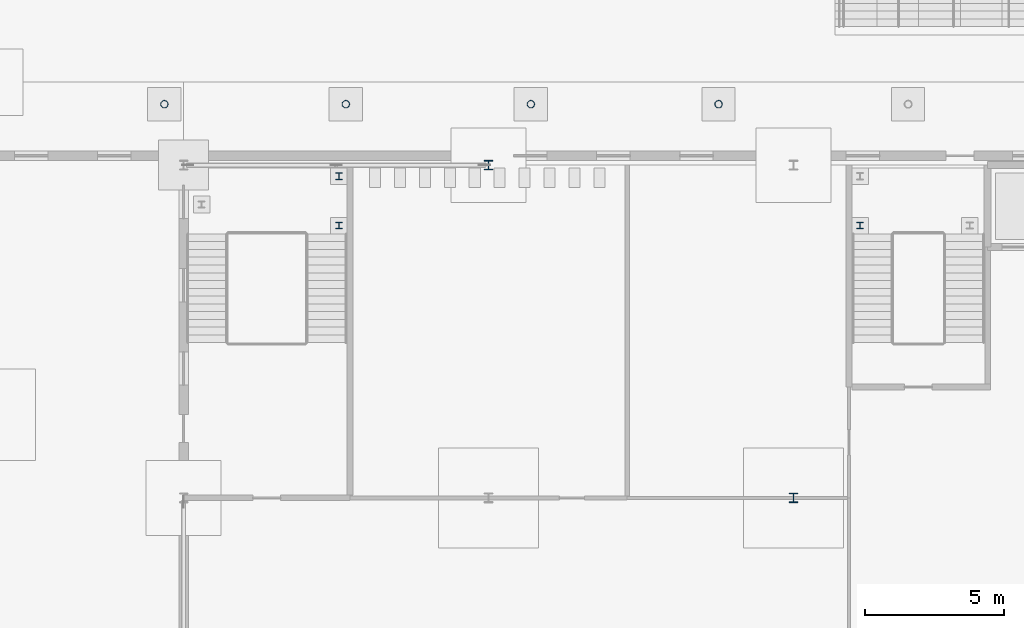
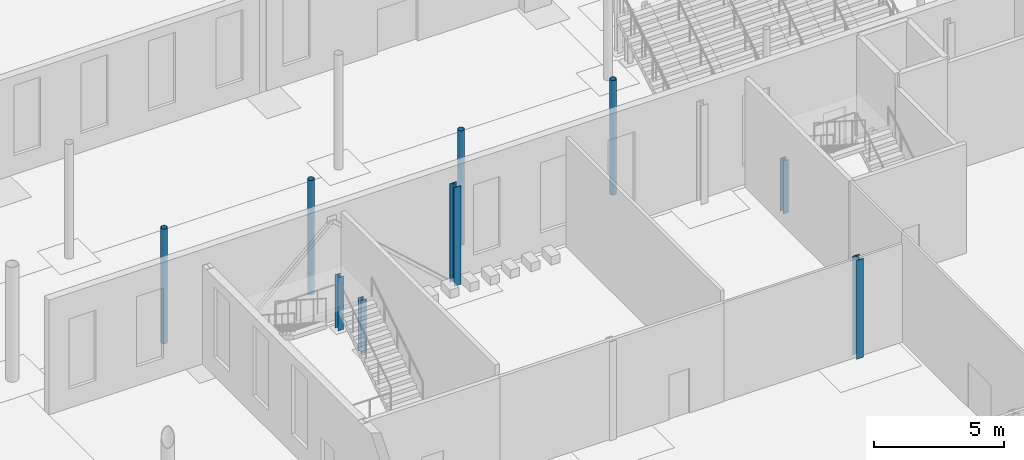
# One storey, part 26 of 132: 9 columns.
"""IFC4 building model written with IfcOpenShell, lengths in metres."""

import ifcopenshell
import ifcopenshell.guid

model = None  # the IFC model being written
_history = None  # IfcOwnerHistory: only IFC2X3 demands one
_inside = {}  # id of a spatial element -> (the spatial element, [elements in it])
_under = {}  # id of a project, library or spatial element -> (it, [spatial elements below it])
_declared = {}  # id of a project -> (the project, [libraries it declares])
_typed = {}  # id of a type object -> (the type object, [elements of that type])
_made_of = {}  # id of a material, layer set ... -> (it, [elements and type objects made of it])


def new_model(schema):
    """Start an empty IFC model of exactly this schema.

    Asked for "IFC4X3", IfcOpenShell would pick the latest addendum, in which some entities
    have other attributes; the version numbers below select the first issue.
    IFC2X3 requires an IfcOwnerHistory on every rooted entity: one is made here for all.
    """
    global model, _history
    if schema == "IFC4X3":
        model = ifcopenshell.file(schema_version=(4, 3, 0, 0))
    else:
        model = ifcopenshell.file(schema=schema)
    _inside.clear()
    _under.clear()
    _declared.clear()
    _typed.clear()
    _made_of.clear()
    _history = None
    if model.schema == "IFC2X3":
        org = make("IfcOrganization", Name="unknown")
        user = make(
            "IfcPersonAndOrganization",
            ThePerson=make("IfcPerson", FamilyName="unknown"),
            TheOrganization=org,
        )
        app = make(
            "IfcApplication",
            ApplicationDeveloper=org,
            Version="unknown",
            ApplicationFullName="unknown",
            ApplicationIdentifier="unknown",
        )
        _history = make(
            "IfcOwnerHistory",
            OwningUser=user,
            OwningApplication=app,
            ChangeAction="ADDED",
            CreationDate=0,
        )
    return model


def make(cls, **values):
    """One entity of the class cls with the attributes given. An attribute that is None is left unset."""
    return model.create_entity(
        cls, **{name: value for name, value in values.items() if value is not None}
    )


def rooted(cls, **values):
    """An entity with a GlobalId (a new one), such as an element, a storey or a relation."""
    return make(cls, GlobalId=ifcopenshell.guid.new(), OwnerHistory=_history, **values)


def si_unit(unit_type, name, prefix=None):
    """IfcSIUnit, for example si_unit("LENGTHUNIT", "METRE", prefix="MILLI")."""
    return make("IfcSIUnit", UnitType=unit_type, Prefix=prefix, Name=name)


def assignment(units):
    """IfcUnitAssignment: the units of a project."""
    return None if units is None else make("IfcUnitAssignment", Units=units)


def point(xyz):
    """IfcCartesianPoint."""
    return None if xyz is None else make("IfcCartesianPoint", Coordinates=xyz)


def direction(xyz):
    """IfcDirection."""
    return None if xyz is None else make("IfcDirection", DirectionRatios=xyz)


def frame(location, z_axis=None, x_axis=None):
    """IfcAxis2Placement3D, a coordinate frame: its origin and axes. An axis left out is left unset."""
    return make(
        "IfcAxis2Placement3D",
        Location=point(location),
        Axis=direction(z_axis),
        RefDirection=direction(x_axis),
    )


def frame_2d(location, x_axis=None):
    """IfcAxis2Placement2D, a coordinate frame in the plane: its origin and x axis."""
    return make(
        "IfcAxis2Placement2D", Location=point(location), RefDirection=direction(x_axis)
    )


def origin():
    """The frame at (0, 0, 0) with its axes left unset."""
    return frame((0.0, 0.0, 0.0))


def origin_2d():
    """The frame at (0, 0) in the plane with its x axis left unset."""
    return frame_2d((0.0, 0.0))


def place(relative_to, where):
    """IfcLocalPlacement: puts the frame where relative to a parent placement (None: the world)."""
    return make(
        "IfcLocalPlacement", PlacementRelTo=relative_to, RelativePlacement=where
    )


def context(
    kind, dimensions, precision=None, world=None, true_north=None, identifier=None
):
    """IfcGeometricRepresentationContext, for example the 3D "Model" context."""
    return make(
        "IfcGeometricRepresentationContext",
        ContextIdentifier=identifier,
        ContextType=kind,
        CoordinateSpaceDimension=dimensions,
        Precision=precision,
        WorldCoordinateSystem=world,
        TrueNorth=true_north,
    )


def subcontext(parent, identifier, kind, view, scale=None):
    """IfcGeometricRepresentationSubContext, for example "Body" below "Model"."""
    return make(
        "IfcGeometricRepresentationSubContext",
        ContextIdentifier=identifier,
        ContextType=kind,
        ParentContext=parent,
        TargetScale=scale,
        TargetView=view,
    )


def project(units=None, contexts=None):
    """IfcProject with its units and contexts."""
    return rooted(
        "IfcProject",
        Name="project",
        RepresentationContexts=contexts,
        UnitsInContext=assignment(units),
    )


def spatial(cls, under=None, at=None, **own):
    """A site, building, storey or space (cls), placed at a placement, below another one or the project."""
    s = rooted(cls, ObjectPlacement=at, **own)
    if under is not None:
        _under.setdefault(under.id(), (under, []))[1].append(s)
    return s


def profile(cls, at=None, kind="AREA", **sizes):
    """A parametric profile (cls). Its sizes go by their IFC names, for example OverallWidth=200.0."""
    return make(cls, ProfileType=kind, Position=at, **sizes)


def hollow_circle(**sizes):
    """IfcCircleHollowProfileDef."""
    return profile("IfcCircleHollowProfileDef", **sizes)


def i_section(**sizes):
    """IfcIShapeProfileDef."""
    return profile("IfcIShapeProfileDef", **sizes)


def extrude(swept, where, along, depth):
    """IfcExtrudedAreaSolid: the profile swept, set in the frame where, extruded along a direction by depth."""
    return make(
        "IfcExtrudedAreaSolid",
        SweptArea=swept,
        Position=where,
        ExtrudedDirection=direction(along),
        Depth=depth,
    )


def shape(context_of_items, identifier, shape_type, items):
    """IfcShapeRepresentation: the items that make up one representation, for example the "Body"."""
    return make(
        "IfcShapeRepresentation",
        ContextOfItems=context_of_items,
        RepresentationIdentifier=identifier,
        RepresentationType=shape_type,
        Items=items,
    )


def material(Name=None, Category=None):
    """IfcMaterial."""
    return make("IfcMaterial", Name=Name, Category=Category)


def material_profile(
    of_material, cross_section, Name=None, Category=None, Priority=None
):
    """IfcMaterialProfile: a cross section and its material."""
    return make(
        "IfcMaterialProfile",
        Name=Name,
        Material=of_material,
        Profile=cross_section,
        Priority=Priority,
        Category=Category,
    )


def profile_set(profiles, Name=None, composite=None):
    """IfcMaterialProfileSet."""
    return make(
        "IfcMaterialProfileSet",
        Name=Name,
        MaterialProfiles=profiles,
        CompositeProfile=composite,
    )


def made_of(thing, what):
    """Note that an element or type object is made of a material, layer set ...; save() writes the relation."""
    if what is not None:
        _made_of.setdefault(what.id(), (what, []))[1].append(thing)
    return thing


def type_object(cls, material=None, **own):
    """A type object (cls), such as IfcWallType, which elements share."""
    return made_of(rooted(cls, **own), material)


def element(
    cls,
    number,
    at=None,
    inside=None,
    cuts=None,
    type_object=None,
    material=None,
    context=None,
    identifier="Body",
    shape_type=None,
    held_by="IfcProductDefinitionShape",
    body=None,
    shapes=None,
    **own,
):
    """One element of the class cls, such as IfcWall. Its Tag is "e" and its number.

    at: its placement. inside: the storey or other place that contains it. cuts: it is an
    opening in that element (IfcRelVoidsElement). A single representation is given by context,
    identifier, shape_type and body (its items); several are given by shapes. held_by: the class
    of the entity that holds the representations. save() writes the other relations.
    """
    e = rooted(cls, Tag="e%d" % number, ObjectPlacement=at, **own)
    if body is not None:
        shapes = [shape(context, identifier, shape_type, body)]
    if shapes is not None:
        e.Representation = make(held_by, Representations=shapes)
    if inside is not None:
        _inside.setdefault(inside.id(), (inside, []))[1].append(e)
    if cuts is not None:
        rooted(
            "IfcRelVoidsElement", RelatingBuildingElement=cuts, RelatedOpeningElement=e
        )
    if type_object is not None:
        _typed.setdefault(type_object.id(), (type_object, []))[1].append(e)
    return made_of(e, material)


def aggregate(whole, parts):
    """IfcRelAggregates: a whole, such as a stair, and the parts it consists of."""
    return rooted("IfcRelAggregates", RelatingObject=whole, RelatedObjects=parts)


def save(model, path):
    """Write the relations noted so far, then the file.

    IfcRelAggregates (storeys below a building ...), IfcRelContainedInSpatialStructure (elements
    in a storey), IfcRelDefinesByType, IfcRelAssociatesMaterial and IfcRelDeclares: one each for
    every whole, place, type object, material and project.
    """
    for whole, parts in _under.values():
        aggregate(whole, parts)
    for where, things in _inside.values():
        rooted(
            "IfcRelContainedInSpatialStructure",
            RelatedElements=things,
            RelatingStructure=where,
        )
    for kind, things in _typed.values():
        rooted("IfcRelDefinesByType", RelatedObjects=things, RelatingType=kind)
    for what, things in _made_of.values():
        rooted("IfcRelAssociatesMaterial", RelatedObjects=things, RelatingMaterial=what)
    for by, libraries in _declared.values():
        rooted("IfcRelDeclares", RelatingContext=by, RelatedDefinitions=libraries)
    model.write(path)


model = new_model("IFC4")

# Units and contexts
model_context = context("Model", 3, precision=1e-05, world=origin(), true_north=direction((0.0, 1.0)))
body_context = subcontext(model_context, "Body", "Model", "MODEL_VIEW")
ifc_project = project(units=[si_unit("LENGTHUNIT", "METRE"), si_unit("AREAUNIT", "SQUARE_METRE"), si_unit("VOLUMEUNIT", "CUBIC_METRE"), si_unit("PLANEANGLEUNIT", "RADIAN"), si_unit("MASSUNIT", "GRAM", prefix="KILO")], contexts=[model_context])

# Site, building, storey
site_placement = place(None, origin())
site = spatial("IfcSite", under=ifc_project, at=site_placement, CompositionType="ELEMENT")
building_placement = place(site_placement, origin())
building = spatial("IfcBuilding", under=site, at=building_placement, Name="Ravi Spectrum Wholesale Market", CompositionType="ELEMENT")
storey_placement = place(building_placement, origin())
storey = spatial("IfcBuildingStorey", under=building, at=storey_placement, Name="L00", CompositionType="ELEMENT", Elevation=0.0)

# Columns
ifc_material_1 = material(Name="Steel S355", Category="steel")
ifc_material_profile_1 = material_profile(ifc_material_1, hollow_circle(Radius=0.136474609375, WallThickness=0.010009765625, at=origin_2d()))
ifc_profile_set_1 = profile_set([ifc_material_profile_1], Name="Steel S355")
column_type_1 = type_object("IfcColumnType", Name="CHS 273x10 column", PredefinedType="COLUMN", material=ifc_profile_set_1)
for number, where, z_axis, x_axis, name in (
    (1, (36.302978515625, 197.199951171875, 0.0), (0.0, 0.0, 1.0), (1.0, 0.0, 0.0), "H1-COL-L00-045"),
    (2, (42.847900390625, 197.199951171875, 0.0), (0.0, 0.0, 1.0), (1.0, 0.0, 0.0), "H1-COL-L00-046"),
    (3, (49.52197265625, 197.199951171875, 0.0), (0.0, 0.0, 1.0), (1.0, 0.0, 0.0), "H1-COL-L00-047"),
    (4, (56.293701171875, 197.199951171875, 0.0), (0.0, 0.0, 1.0), (1.0, 0.0, 0.0), "H1-COL-L00-048"),
):
    element("IfcColumn", number, at=place(storey_placement, frame(where, z_axis=z_axis, x_axis=x_axis)), inside=storey, type_object=column_type_1, Name=name, PredefinedType="COLUMN", context=body_context, shape_type="SweptSolid", body=[
        extrude(hollow_circle(Radius=0.136474609375, WallThickness=0.010009765625, at=origin_2d()), origin(), (0.0, 0.0, 1.0), 5.39990234375),
    ])
ifc_material_2 = material(Name="Steel S355", Category="steel")
ifc_material_profile_2 = material_profile(ifc_material_2, i_section(OverallWidth=0.239990234375, OverallDepth=0.239990234375, WebThickness=0.010009765625, FlangeThickness=0.01708984375, at=origin_2d()))
ifc_profile_set_2 = profile_set([ifc_material_profile_2], Name="Steel S355")
column_type_2 = type_object("IfcColumnType", Name="HEB 240 column", PredefinedType="COLUMN", material=ifc_profile_set_2)
for number, where, z_axis, x_axis, name in (
    (5, (42.60009765625, 192.820068359375, 0.0), (0.0, 0.0, 1.0), (1.0, 0.0, 0.0), "H1-COL-L00-078"),
    (6, (42.60009765625, 194.60009765625, 0.0), (0.0, 0.0, 1.0), (1.0, 0.0, 0.0), "H1-COL-L00-079"),
    (7, (61.39990234375, 192.820068359375, 0.0), (0.0, 0.0, 1.0), (1.0, 0.0, 0.0), "H1-COL-L00-083"),
):
    element("IfcColumn", number, at=place(storey_placement, frame(where, z_axis=z_axis, x_axis=x_axis)), inside=storey, type_object=column_type_2, Name=name, PredefinedType="COLUMN", context=body_context, shape_type="SweptSolid", body=[
        extrude(i_section(OverallWidth=0.239990234375, OverallDepth=0.239990234375, WebThickness=0.010009765625, FlangeThickness=0.01708984375, at=origin_2d()), origin(), (0.0, 0.0, 1.0), 2.5),
    ])
ifc_material_3 = material(Name="Steel S355", Category="steel")
ifc_material_profile_3 = material_profile(ifc_material_3, i_section(OverallWidth=0.300048828125, OverallDepth=0.340087890625, WebThickness=0.011962890625, FlangeThickness=0.021484375, at=origin_2d()))
ifc_profile_set_3 = profile_set([ifc_material_profile_3], Name="Steel S355")
column_type_3 = type_object("IfcColumnType", Name="HEB 340 column", PredefinedType="COLUMN", material=ifc_profile_set_3)
for number, where, z_axis, x_axis, name in (
    (8, (48.0, 195.0, 0.0), (0.0, 0.0, 1.0), (1.0, 0.0, 0.0), "H1-COL-L00-061"),
    (9, (59.0, 183.0, 0.0), (0.0, 0.0, 1.0), (1.0, 0.0, 0.0), "H1-COL-L00-063"),
):
    element("IfcColumn", number, at=place(storey_placement, frame(where, z_axis=z_axis, x_axis=x_axis)), inside=storey, type_object=column_type_3, Name=name, PredefinedType="COLUMN", context=body_context, shape_type="SweptSolid", body=[
        extrude(i_section(OverallWidth=0.300048828125, OverallDepth=0.340087890625, WebThickness=0.011962890625, FlangeThickness=0.021484375, at=origin_2d()), origin(), (0.0, 0.0, 1.0), 4.64990234375),
    ])

save(model, "model.ifc")
